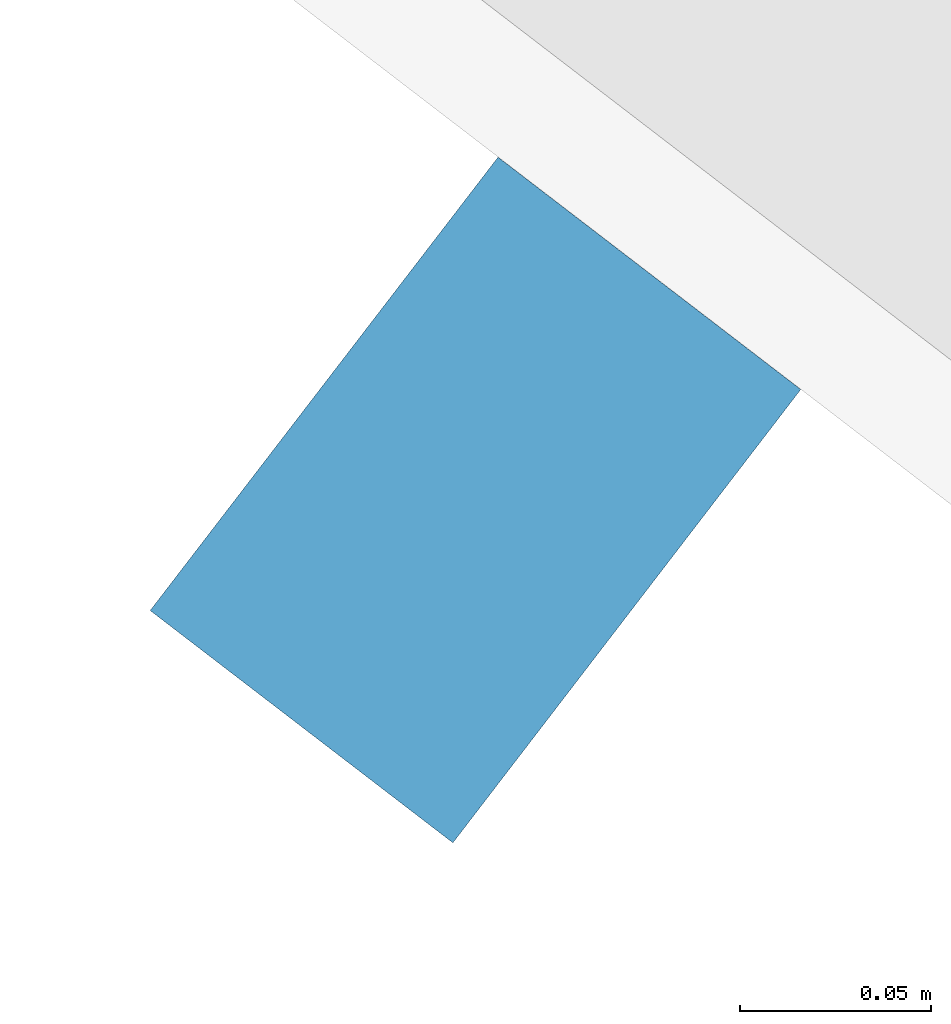
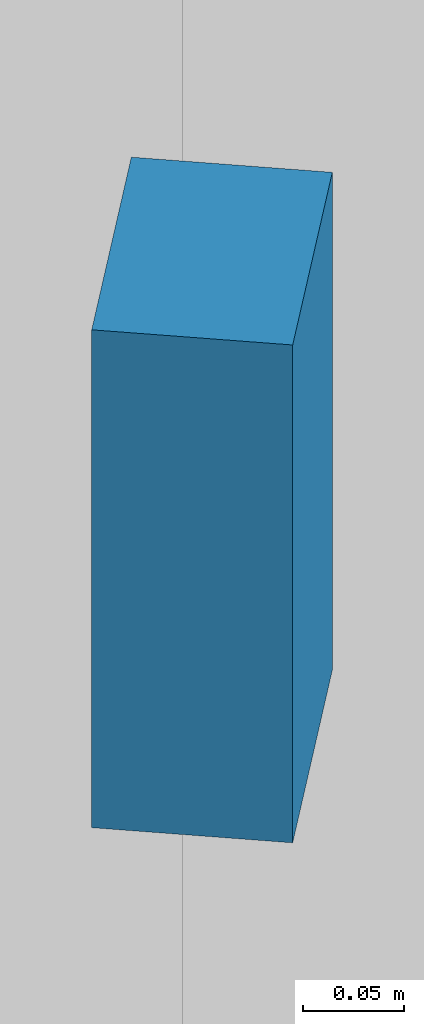
# One storey, part 9 of 28: 1 discrete accessory.
"""IFC4 building model written with IfcOpenShell, lengths in metres."""

from ifc_helpers import new_model, si_unit, direction, frame, origin, origin_2d, place, context, subcontext, project, spatial, rectangle, extrude, material, type_object, element, save


model = new_model("IFC4")

# Units and contexts
model_context = context("Model", 3, precision=1e-05, world=origin(), true_north=direction((0.0, 1.0)))
body_context = subcontext(model_context, "Body", "Model", "MODEL_VIEW")
ifc_project = project(units=[si_unit("LENGTHUNIT", "METRE"), si_unit("AREAUNIT", "SQUARE_METRE"), si_unit("VOLUMEUNIT", "CUBIC_METRE"), si_unit("PLANEANGLEUNIT", "RADIAN"), si_unit("MASSUNIT", "GRAM", prefix="KILO")], contexts=[model_context])

# Site, building, storey
site_placement = place(None, origin())
site = spatial("IfcSite", under=ifc_project, at=site_placement, CompositionType="ELEMENT")
building_placement = place(site_placement, origin())
building = spatial("IfcBuilding", under=site, at=building_placement, Name="Qamariyya Broadcast Tower", CompositionType="ELEMENT")
storey_placement = place(building_placement, frame((0.0, 0.0, 277.10009765625)))
storey = spatial("IfcBuildingStorey", under=building, at=storey_placement, Name="L67", CompositionType="ELEMENT", Elevation=277.10009765625)

# Discrete accessory
ifc_material = material(Name="Stainless steel 316", Category="steel")
discrete_accessory_type = type_object("IfcDiscreteAccessoryType", Name="Slab edge fixing angle, stainless steel", PredefinedType="BRACKET", material=ifc_material)
discrete_accessory_placement = place(storey_placement, frame((-50.68896484375, -59.74609375, 3.2998046875), z_axis=(0.0, 0.0, 1.0), x_axis=(0.793353340291, -0.608761429009, 0.0)))
element("IfcDiscreteAccessory", 1, at=discrete_accessory_placement, inside=storey, type_object=discrete_accessory_type, Name="e-br-L67-02-0", PredefinedType="BRACKET", context=body_context, shape_type="SweptSolid", body=[
    extrude(rectangle(XDim=0.10009765625, YDim=0.14990234375, at=origin_2d()), origin(), (0.0, 0.0, 1.0), 0.300048828125),
])

save(model, "model.ifc")
